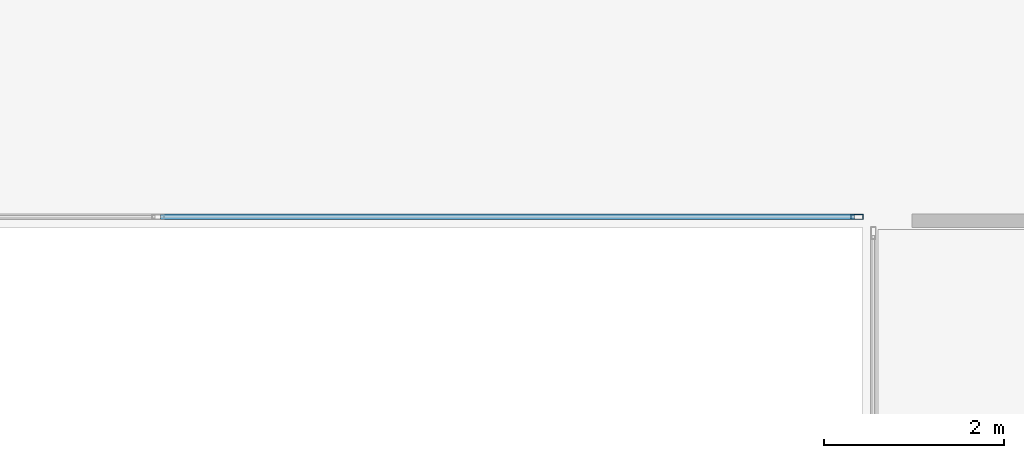
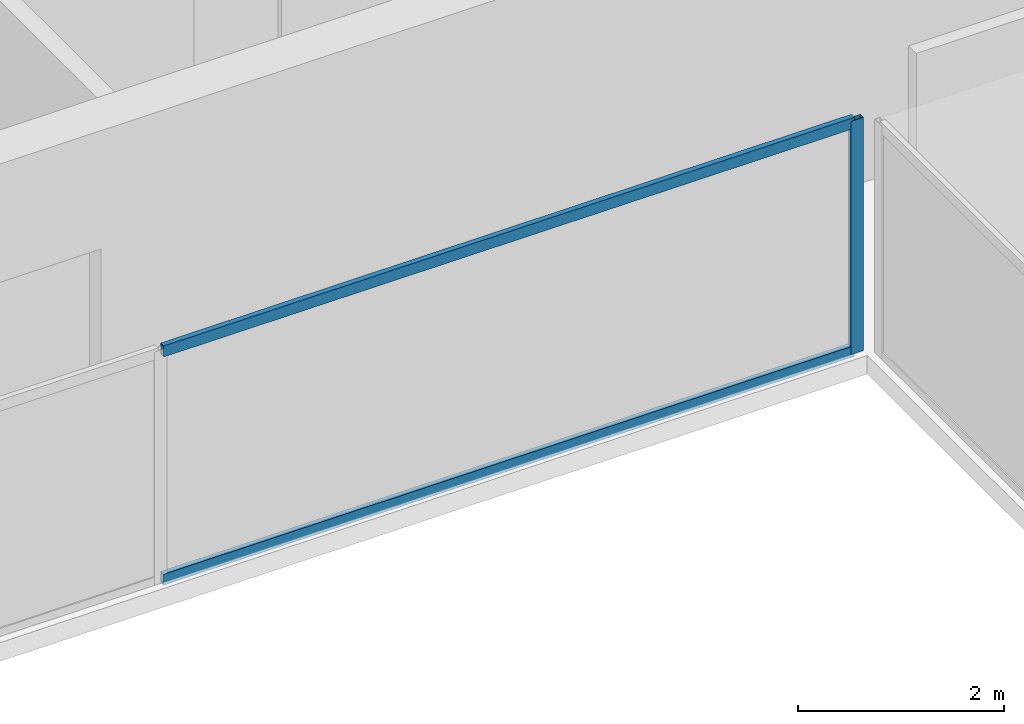
# One storey, part 11 of 28: 3 members, 1 element without a shape of its own.
"""IFC4 building model written with IfcOpenShell, lengths in metres."""

from ifc_helpers import new_model, si_unit, direction, frame, origin, origin_2d, place, context, subcontext, project, spatial, hollow_rectangle, extrude, source, transform, mapped, material, layer, layer_set, material_profile, profile_set, type_object, element, aggregate, save


model = new_model("IFC4")

# Units and contexts
model_context = context("Model", 3, precision=1e-05, world=origin(), true_north=direction((0.0, 1.0)))
body_context = subcontext(model_context, "Body", "Model", "MODEL_VIEW")
ifc_project = project(units=[si_unit("LENGTHUNIT", "METRE"), si_unit("AREAUNIT", "SQUARE_METRE"), si_unit("VOLUMEUNIT", "CUBIC_METRE"), si_unit("PLANEANGLEUNIT", "RADIAN"), si_unit("MASSUNIT", "GRAM", prefix="KILO")], contexts=[model_context])

# Site, building, storey
site_placement = place(None, origin())
site = spatial("IfcSite", under=ifc_project, at=site_placement, CompositionType="ELEMENT")
building_placement = place(site_placement, origin())
building = spatial("IfcBuilding", under=site, at=building_placement, Name="Sumidabori Civic Tower", CompositionType="ELEMENT")
storey_placement = place(building_placement, frame((0.0, 0.0, 210.800048828125)))
storey = spatial("IfcBuildingStorey", under=building, at=storey_placement, Name="L54", CompositionType="ELEMENT", Elevation=210.800048828125)

# Curtain wall, members
ifc_material = material(Name="Anodised Bronze Aluminium AW-6063-T6", Category="aluminium")
ifc_layer = layer(ifc_material, 0.179931640625, Name="Anodised Bronze Aluminium AW-6063-T6")
ifc_layer_set = layer_set([ifc_layer], Name="Anodised Bronze Aluminium AW-6063-T6")
curtain_wall_type = type_object("IfcCurtainWallType", Name="CW-SYS-4", PredefinedType="NOTDEFINED", material=ifc_layer_set)
curtain_wall_placement = place(storey_placement, origin())
curtain_wall = element("IfcCurtainWall", 1, at=curtain_wall_placement, inside=storey, type_object=curtain_wall_type, Name="Curtain Wall CW:L54:R05", PredefinedType="NOTDEFINED")
ifc_material_profile_1 = material_profile(ifc_material, hollow_rectangle(XDim=0.06005859375, YDim=0.139892578125, WallThickness=0.0048828125, at=origin_2d()), Name="ALU MULLION 140x60")
ifc_profile_set_1 = profile_set([ifc_material_profile_1], Name="Anodised Bronze Aluminium AW-6063-T6")
member_type_1 = type_object("IfcMemberType", Name="CW-MUL-140", PredefinedType="MULLION", material=ifc_profile_set_1)
shared_shape_1 = source(origin(), body_context, "Body", "SweptSolid", [
    extrude(hollow_rectangle(XDim=0.06005859375, YDim=0.139892578125, WallThickness=0.0048828125, at=origin_2d()), origin(), (0.0, 0.0, 1.0), 2.760009765625),
])
member_1_placement = place(storey_placement, frame((7.7900390625, 7.52001953125, 0.0), z_axis=(0.0, 0.0, 1.0), x_axis=(0.0, 1.0, 0.0)))
member_1 = element("IfcMember", 2, at=member_1_placement, type_object=member_type_1, Name="CW-4 mullion 3", PredefinedType="MULLION", context=body_context, shape_type="MappedRepresentation", body=[
    mapped(shared_shape_1, transform((0.0, 0.0, 0.0), x_axis=(1.0, 0.0, 0.0), y_axis=(0.0, 1.0, 0.0), z_axis=(0.0, 0.0, 1.0), scale=1.0)),
])
ifc_material_profile_2 = material_profile(ifc_material, hollow_rectangle(XDim=0.06005859375, YDim=0.1298828125, WallThickness=0.0048828125, at=origin_2d()), Name="ALU TRANSOM 130x60")
ifc_profile_set_2 = profile_set([ifc_material_profile_2], Name="Anodised Bronze Aluminium AW-6063-T6")
member_type_2 = type_object("IfcMemberType", Name="CW-TRN-130", PredefinedType="USERDEFINED", material=ifc_profile_set_2)
shared_shape_2 = source(origin(), body_context, "Body", "SweptSolid", [
    extrude(hollow_rectangle(XDim=0.06005859375, YDim=0.1298828125, WallThickness=0.0048828125, at=origin_2d()), origin(), (0.0, 0.0, 1.0), 7.72998046875),
])
member_2_placement = place(storey_placement, frame((0.030029296875, 7.52001953125, 0.030029296875), z_axis=(1.0, 0.0, 0.0), x_axis=(0.0, 1.0, 0.0)))
member_2 = element("IfcMember", 3, at=member_2_placement, type_object=member_type_2, Name="CW-4 transom 2.1", ObjectType="TRANSOM", PredefinedType="USERDEFINED", context=body_context, shape_type="MappedRepresentation", body=[
    mapped(shared_shape_2, transform((0.0, 0.0, 0.0), x_axis=(1.0, 0.0, 0.0), y_axis=(0.0, 1.0, 0.0), z_axis=(0.0, 0.0, 1.0), scale=1.0)),
])
member_3_placement = place(storey_placement, frame((0.030029296875, 7.52001953125, 2.72998046875), z_axis=(1.0, 0.0, 0.0), x_axis=(0.0, 1.0, 0.0)))
member_3 = element("IfcMember", 4, at=member_3_placement, type_object=member_type_2, Name="CW-4 transom 2.2", ObjectType="TRANSOM", PredefinedType="USERDEFINED", context=body_context, shape_type="MappedRepresentation", body=[
    mapped(shared_shape_2, transform((0.0, 0.0, 0.0), x_axis=(1.0, 0.0, 0.0), y_axis=(0.0, 1.0, 0.0), z_axis=(0.0, 0.0, 1.0), scale=1.0)),
])
aggregate(curtain_wall, [member_1, member_2, member_3])

save(model, "model.ifc")
